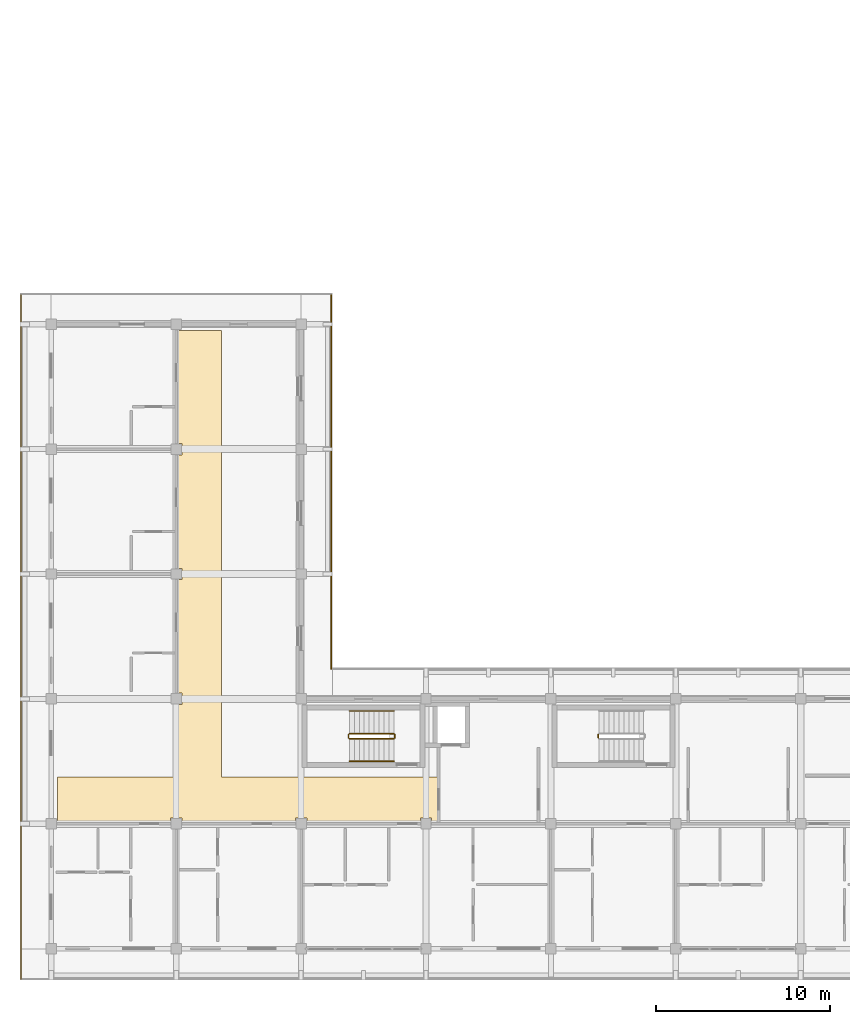
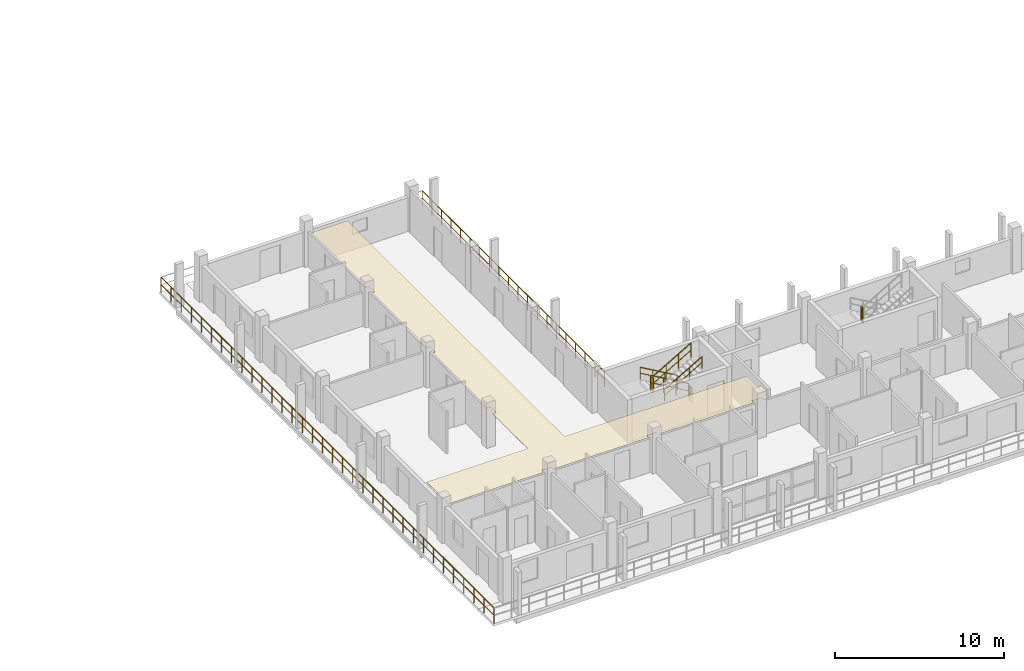
# One storey, part 61 of 75: 9 railings, 1 covering.
"""IFC4 building model written with IfcOpenShell, lengths in metres."""

from ifc_helpers import new_model, si_unit, direction, frame, origin, origin_2d, place, context, subcontext, project, spatial, polyline, rectangle, outline, extrude, material, layer, layer_set, type_object, element, save


model = new_model("IFC4")

# Units and contexts
model_context = context("Model", 3, precision=1e-05, world=origin(), true_north=direction((0.0, 1.0)))
body_context = subcontext(model_context, "Body", "Model", "MODEL_VIEW")
ifc_project = project(units=[si_unit("LENGTHUNIT", "METRE"), si_unit("AREAUNIT", "SQUARE_METRE"), si_unit("VOLUMEUNIT", "CUBIC_METRE"), si_unit("PLANEANGLEUNIT", "RADIAN"), si_unit("MASSUNIT", "GRAM", prefix="KILO")], contexts=[model_context])

# Site, building, storey
site_placement = place(None, origin())
site = spatial("IfcSite", under=ifc_project, at=site_placement, CompositionType="ELEMENT")
building_placement = place(site_placement, origin())
building = spatial("IfcBuilding", under=site, at=building_placement, Name="Suanplinth Sawtooth Commons", CompositionType="ELEMENT")
storey_placement = place(building_placement, frame((0.0, 0.0, 18.60009765625)))
storey = spatial("IfcBuildingStorey", under=building, at=storey_placement, Name="L05", CompositionType="ELEMENT", Elevation=18.60009765625)

# Covering
ifc_material_1 = material(Name="Mineral fibre acoustic tile")
ifc_layer = layer(ifc_material_1, 0.0400390625, Name="Perforated mineral-fibre acoustic suspended ceiling")
ifc_layer_set = layer_set([ifc_layer], Name="Mineral fibre acoustic tile")
covering_type = type_object("IfcCoveringType", Name="CV-CE01", PredefinedType="CEILING", material=ifc_layer_set)
covering_placement = place(storey_placement, frame((0.0, 0.0, 2.3798828125)))
element("IfcCovering", 1, at=covering_placement, inside=storey, type_object=covering_type, Name="L05 Block D Corridor Acoustic Ceiling", PredefinedType="CEILING", context=body_context, shape_type="SweptSolid", body=[
    extrude(outline(polyline([(0.360107421875, 9.89990234375), (7.280029296875, 9.89990234375), (7.280029296875, 14.070068359375), (7.530029296875, 14.070068359375), (7.530029296875, 14.72998046875), (7.280029296875, 14.72998046875), (7.280029296875, 21.27001953125), (7.530029296875, 21.27001953125), (7.530029296875, 21.929931640625), (7.280029296875, 21.929931640625), (7.280029296875, 28.469970703125), (7.530029296875, 28.469970703125), (7.530029296875, 29.1298828125), (7.280029296875, 29.1298828125), (7.280029296875, 35.639892578125), (9.800048828125, 35.639892578125), (9.800048828125, 9.89990234375), (22.280029296875, 9.89990234375), (22.280029296875, 7.280029296875), (21.929931640625, 7.280029296875), (21.929931640625, 7.530029296875), (21.27001953125, 7.530029296875), (21.27001953125, 7.280029296875), (14.72998046875, 7.280029296875), (14.72998046875, 7.530029296875), (14.070068359375, 7.530029296875), (14.070068359375, 7.280029296875), (7.530029296875, 7.280029296875), (7.530029296875, 7.530029296875), (6.8701171875, 7.530029296875), (6.8701171875, 7.280029296875), (0.360107421875, 7.280029296875), (0.360107421875, 9.89990234375)])), origin(), (0.0, 0.0, 1.0), 0.0400390625),
])

# Railings
ifc_material_2 = material(Name="Powder-coated galvanized steel", Category="steel")
railing_type_1 = type_object("IfcRailingType", Name="GR-01", PredefinedType="BALUSTRADE", material=ifc_material_2)
railing_1_placement = place(storey_placement, frame((-1.739990234375, -1.739990234375, 0.0)))
element("IfcRailing", 2, at=railing_1_placement, inside=storey, type_object=railing_type_1, Name="L05 Block D Perimeter Balustrade 1", PredefinedType="BALUSTRADE", context=body_context, shape_type="SweptSolid", body=[
    extrude(rectangle(XDim=0.048095703125, YDim=0.048095703125, at=origin_2d()), frame((0.0, 0.0, 1.09619140625), z_axis=(0.0, 1.0, 0.0), x_axis=(-1.0, 0.0, 0.0)), (0.0, 0.0, 1.0), 39.47998046875),
    extrude(rectangle(XDim=0.03369140625, YDim=0.03369140625, at=origin_2d()), frame((0.0, 0.0, 0.56005859375), z_axis=(0.0, 1.0, 0.0), x_axis=(-1.0, 0.0, 0.0)), (0.0, 0.0, 1.0), 39.47998046875),
    extrude(rectangle(XDim=0.0419921875, YDim=0.0419921875, at=origin_2d()), origin(), (0.0, 0.0, 1.0), 1.072021484375),
    extrude(rectangle(XDim=0.0419921875, YDim=0.0419921875, at=origin_2d()), frame((0.0, 1.1962890625, 0.0)), (0.0, 0.0, 1.0), 1.072021484375),
    extrude(rectangle(XDim=0.0419921875, YDim=0.0419921875, at=origin_2d()), frame((0.0, 2.392822265625, 0.0)), (0.0, 0.0, 1.0), 1.072021484375),
    extrude(rectangle(XDim=0.0419921875, YDim=0.0419921875, at=origin_2d()), frame((0.0, 3.589111328125, 0.0)), (0.0, 0.0, 1.0), 1.072021484375),
    extrude(rectangle(XDim=0.0419921875, YDim=0.0419921875, at=origin_2d()), frame((0.0, 4.785400390625, 0.0)), (0.0, 0.0, 1.0), 1.072021484375),
    extrude(rectangle(XDim=0.0419921875, YDim=0.0419921875, at=origin_2d()), frame((0.0, 5.98193359375, 0.0)), (0.0, 0.0, 1.0), 1.072021484375),
    extrude(rectangle(XDim=0.0419921875, YDim=0.0419921875, at=origin_2d()), frame((0.0, 7.17822265625, 0.0)), (0.0, 0.0, 1.0), 1.072021484375),
    extrude(rectangle(XDim=0.0419921875, YDim=0.0419921875, at=origin_2d()), frame((0.0, 8.37451171875, 0.0)), (0.0, 0.0, 1.0), 1.072021484375),
    extrude(rectangle(XDim=0.0419921875, YDim=0.0419921875, at=origin_2d()), frame((0.0, 9.57080078125, 0.0)), (0.0, 0.0, 1.0), 1.072021484375),
    extrude(rectangle(XDim=0.0419921875, YDim=0.0419921875, at=origin_2d()), frame((0.0, 10.767333984375, 0.0)), (0.0, 0.0, 1.0), 1.072021484375),
    extrude(rectangle(XDim=0.0419921875, YDim=0.0419921875, at=origin_2d()), frame((0.0, 11.963623046875, 0.0)), (0.0, 0.0, 1.0), 1.072021484375),
    extrude(rectangle(XDim=0.0419921875, YDim=0.0419921875, at=origin_2d()), frame((0.0, 13.159912109375, 0.0)), (0.0, 0.0, 1.0), 1.072021484375),
    extrude(rectangle(XDim=0.0419921875, YDim=0.0419921875, at=origin_2d()), frame((0.0, 14.3564453125, 0.0)), (0.0, 0.0, 1.0), 1.072021484375),
    extrude(rectangle(XDim=0.0419921875, YDim=0.0419921875, at=origin_2d()), frame((0.0, 15.552734375, 0.0)), (0.0, 0.0, 1.0), 1.072021484375),
    extrude(rectangle(XDim=0.0419921875, YDim=0.0419921875, at=origin_2d()), frame((0.0, 16.7490234375, 0.0)), (0.0, 0.0, 1.0), 1.072021484375),
    extrude(rectangle(XDim=0.0419921875, YDim=0.0419921875, at=origin_2d()), frame((0.0, 17.945556640625, 0.0)), (0.0, 0.0, 1.0), 1.072021484375),
    extrude(rectangle(XDim=0.0419921875, YDim=0.0419921875, at=origin_2d()), frame((0.0, 19.141845703125, 0.0)), (0.0, 0.0, 1.0), 1.072021484375),
    extrude(rectangle(XDim=0.0419921875, YDim=0.0419921875, at=origin_2d()), frame((0.0, 20.338134765625, 0.0)), (0.0, 0.0, 1.0), 1.072021484375),
    extrude(rectangle(XDim=0.0419921875, YDim=0.0419921875, at=origin_2d()), frame((0.0, 21.534423828125, 0.0)), (0.0, 0.0, 1.0), 1.072021484375),
    extrude(rectangle(XDim=0.0419921875, YDim=0.0419921875, at=origin_2d()), frame((0.0, 22.73095703125, 0.0)), (0.0, 0.0, 1.0), 1.072021484375),
    extrude(rectangle(XDim=0.0419921875, YDim=0.0419921875, at=origin_2d()), frame((0.0, 23.92724609375, 0.0)), (0.0, 0.0, 1.0), 1.072021484375),
    extrude(rectangle(XDim=0.0419921875, YDim=0.0419921875, at=origin_2d()), frame((0.0, 25.12353515625, 0.0)), (0.0, 0.0, 1.0), 1.072021484375),
    extrude(rectangle(XDim=0.0419921875, YDim=0.0419921875, at=origin_2d()), frame((0.0, 26.320068359375, 0.0)), (0.0, 0.0, 1.0), 1.072021484375),
    extrude(rectangle(XDim=0.0419921875, YDim=0.0419921875, at=origin_2d()), frame((0.0, 27.516357421875, 0.0)), (0.0, 0.0, 1.0), 1.072021484375),
    extrude(rectangle(XDim=0.0419921875, YDim=0.0419921875, at=origin_2d()), frame((0.0, 28.712646484375, 0.0)), (0.0, 0.0, 1.0), 1.072021484375),
    extrude(rectangle(XDim=0.0419921875, YDim=0.0419921875, at=origin_2d()), frame((0.0, 29.9091796875, 0.0)), (0.0, 0.0, 1.0), 1.072021484375),
    extrude(rectangle(XDim=0.0419921875, YDim=0.0419921875, at=origin_2d()), frame((0.0, 31.10546875, 0.0)), (0.0, 0.0, 1.0), 1.072021484375),
    extrude(rectangle(XDim=0.0419921875, YDim=0.0419921875, at=origin_2d()), frame((0.0, 32.3017578125, 0.0)), (0.0, 0.0, 1.0), 1.072021484375),
    extrude(rectangle(XDim=0.0419921875, YDim=0.0419921875, at=origin_2d()), frame((0.0, 33.498046875, 0.0)), (0.0, 0.0, 1.0), 1.072021484375),
    extrude(rectangle(XDim=0.0419921875, YDim=0.0419921875, at=origin_2d()), frame((0.0, 34.694580078125, 0.0)), (0.0, 0.0, 1.0), 1.072021484375),
    extrude(rectangle(XDim=0.0419921875, YDim=0.0419921875, at=origin_2d()), frame((0.0, 35.890869140625, 0.0)), (0.0, 0.0, 1.0), 1.072021484375),
    extrude(rectangle(XDim=0.0419921875, YDim=0.0419921875, at=origin_2d()), frame((0.0, 37.087158203125, 0.0)), (0.0, 0.0, 1.0), 1.072021484375),
    extrude(rectangle(XDim=0.0419921875, YDim=0.0419921875, at=origin_2d()), frame((0.0, 38.28369140625, 0.0)), (0.0, 0.0, 1.0), 1.072021484375),
    extrude(rectangle(XDim=0.0419921875, YDim=0.0419921875, at=origin_2d()), frame((0.0, 39.47998046875, 0.0)), (0.0, 0.0, 1.0), 1.072021484375),
])
railing_2_placement = place(storey_placement, frame((16.139892578125, 37.739990234375, 0.0)))
element("IfcRailing", 3, at=railing_2_placement, inside=storey, type_object=railing_type_1, Name="L05 Block D Perimeter Balustrade 3", PredefinedType="BALUSTRADE", context=body_context, shape_type="SweptSolid", body=[
    extrude(rectangle(XDim=0.048095703125, YDim=0.048095703125, at=origin_2d()), frame((0.0, 0.0, 1.09619140625), z_axis=(0.0, -1.0, 0.0), x_axis=(1.0, 0.0, 0.0)), (0.0, 0.0, 1.0), 21.60009765625),
    extrude(rectangle(XDim=0.03369140625, YDim=0.03369140625, at=origin_2d()), frame((0.0, 0.0, 0.56005859375), z_axis=(0.0, -1.0, 0.0), x_axis=(1.0, 0.0, 0.0)), (0.0, 0.0, 1.0), 21.60009765625),
    extrude(rectangle(XDim=0.0419921875, YDim=0.0419921875, at=origin_2d()), origin(), (0.0, 0.0, 1.0), 1.072021484375),
    extrude(rectangle(XDim=0.0419921875, YDim=0.0419921875, at=origin_2d()), frame((0.0, -1.136962890625, 0.0)), (0.0, 0.0, 1.0), 1.072021484375),
    extrude(rectangle(XDim=0.0419921875, YDim=0.0419921875, at=origin_2d()), frame((0.0, -2.273681640625, 0.0)), (0.0, 0.0, 1.0), 1.072021484375),
    extrude(rectangle(XDim=0.0419921875, YDim=0.0419921875, at=origin_2d()), frame((0.0, -3.41064453125, 0.0)), (0.0, 0.0, 1.0), 1.072021484375),
    extrude(rectangle(XDim=0.0419921875, YDim=0.0419921875, at=origin_2d()), frame((0.0, -4.54736328125, 0.0)), (0.0, 0.0, 1.0), 1.072021484375),
    extrude(rectangle(XDim=0.0419921875, YDim=0.0419921875, at=origin_2d()), frame((0.0, -5.684326171875, 0.0)), (0.0, 0.0, 1.0), 1.072021484375),
    extrude(rectangle(XDim=0.0419921875, YDim=0.0419921875, at=origin_2d()), frame((0.0, -6.821044921875, 0.0)), (0.0, 0.0, 1.0), 1.072021484375),
    extrude(rectangle(XDim=0.0419921875, YDim=0.0419921875, at=origin_2d()), frame((0.0, -7.9580078125, 0.0)), (0.0, 0.0, 1.0), 1.072021484375),
    extrude(rectangle(XDim=0.0419921875, YDim=0.0419921875, at=origin_2d()), frame((0.0, -9.0947265625, 0.0)), (0.0, 0.0, 1.0), 1.072021484375),
    extrude(rectangle(XDim=0.0419921875, YDim=0.0419921875, at=origin_2d()), frame((0.0, -10.231689453125, 0.0)), (0.0, 0.0, 1.0), 1.072021484375),
    extrude(rectangle(XDim=0.0419921875, YDim=0.0419921875, at=origin_2d()), frame((0.0, -11.368408203125, 0.0)), (0.0, 0.0, 1.0), 1.072021484375),
    extrude(rectangle(XDim=0.0419921875, YDim=0.0419921875, at=origin_2d()), frame((0.0, -12.50537109375, 0.0)), (0.0, 0.0, 1.0), 1.072021484375),
    extrude(rectangle(XDim=0.0419921875, YDim=0.0419921875, at=origin_2d()), frame((0.0, -13.64208984375, 0.0)), (0.0, 0.0, 1.0), 1.072021484375),
    extrude(rectangle(XDim=0.0419921875, YDim=0.0419921875, at=origin_2d()), frame((0.0, -14.779052734375, 0.0)), (0.0, 0.0, 1.0), 1.072021484375),
    extrude(rectangle(XDim=0.0419921875, YDim=0.0419921875, at=origin_2d()), frame((0.0, -15.915771484375, 0.0)), (0.0, 0.0, 1.0), 1.072021484375),
    extrude(rectangle(XDim=0.0419921875, YDim=0.0419921875, at=origin_2d()), frame((0.0, -17.052734375, 0.0)), (0.0, 0.0, 1.0), 1.072021484375),
    extrude(rectangle(XDim=0.0419921875, YDim=0.0419921875, at=origin_2d()), frame((0.0, -18.189453125, 0.0)), (0.0, 0.0, 1.0), 1.072021484375),
    extrude(rectangle(XDim=0.0419921875, YDim=0.0419921875, at=origin_2d()), frame((0.0, -19.326416015625, 0.0)), (0.0, 0.0, 1.0), 1.072021484375),
    extrude(rectangle(XDim=0.0419921875, YDim=0.0419921875, at=origin_2d()), frame((0.0, -20.463134765625, 0.0)), (0.0, 0.0, 1.0), 1.072021484375),
    extrude(rectangle(XDim=0.0419921875, YDim=0.0419921875, at=origin_2d()), frame((0.0, -21.60009765625, 0.0)), (0.0, 0.0, 1.0), 1.072021484375),
])
ifc_material_3 = material(Name="Stainless steel Grade 304", Category="steel")
railing_type_2 = type_object("IfcRailingType", Name="GR-04", PredefinedType="GUARDRAIL", material=ifc_material_3)
railing_3_placement = place(storey_placement, frame((19.75, 12.39990234375, 0.164794921875)))
element("IfcRailing", 4, at=railing_3_placement, inside=storey, type_object=railing_type_2, Name="L05 ST-W1 Guard 1", PredefinedType="GUARDRAIL", context=body_context, shape_type="SweptSolid", body=[
    extrude(rectangle(XDim=0.048095703125, YDim=0.048095703125, at=origin_2d()), frame((0.0, 0.0, 1.076171875), z_axis=(-0.865405606168, 0.0, 0.501071987656), x_axis=(0.0, -1.0, 0.0)), (0.0, 0.0, 1.0), 2.9638671875),
    extrude(rectangle(XDim=0.03369140625, YDim=0.03369140625, at=origin_2d()), frame((0.0, 0.0, 0.550048828125), z_axis=(-0.865405606168, 0.0, 0.501071987656), x_axis=(0.0, -1.0, 0.0)), (0.0, 0.0, 1.0), 2.9638671875),
    extrude(rectangle(XDim=0.0419921875, YDim=0.0419921875, at=origin_2d()), origin(), (0.0, 0.0, 1.0), 1.052001953125),
    extrude(rectangle(XDim=0.0419921875, YDim=0.0419921875, at=origin_2d()), frame((-0.85498046875, 0.0, 0.4951171875)), (0.0, 0.0, 1.0), 1.052001953125),
    extrude(rectangle(XDim=0.0419921875, YDim=0.0419921875, at=origin_2d()), frame((-1.7099609375, 0.0, 0.989990234375)), (0.0, 0.0, 1.0), 1.052001953125),
    extrude(rectangle(XDim=0.0419921875, YDim=0.0419921875, at=origin_2d()), frame((-2.56494140625, 0.0, 1.485107421875)), (0.0, 0.0, 1.0), 1.052001953125),
])
railing_4_placement = place(storey_placement, frame((17.135009765625, 12.35009765625, 1.64990234375)))
element("IfcRailing", 5, at=railing_4_placement, inside=storey, type_object=railing_type_2, Name="L05 ST-W1 Guard 2", PredefinedType="GUARDRAIL", context=body_context, shape_type="SweptSolid", body=[
    extrude(rectangle(XDim=0.048095703125, YDim=0.048095703125, at=origin_2d()), frame((0.0, 0.0, 1.076171875), z_axis=(0.0, -1.0, 0.0), x_axis=(1.0, 0.0, 0.0)), (0.0, 0.0, 1.0), 0.2001953125),
    extrude(rectangle(XDim=0.03369140625, YDim=0.03369140625, at=origin_2d()), frame((0.0, 0.0, 0.550048828125), z_axis=(0.0, -1.0, 0.0), x_axis=(1.0, 0.0, 0.0)), (0.0, 0.0, 1.0), 0.2001953125),
    extrude(rectangle(XDim=0.0419921875, YDim=0.0419921875, at=origin_2d()), origin(), (0.0, 0.0, 1.0), 1.052001953125),
    extrude(rectangle(XDim=0.0419921875, YDim=0.0419921875, at=origin_2d()), frame((0.0, -0.2001953125, 0.0)), (0.0, 0.0, 1.0), 1.052001953125),
])
railing_5_placement = place(storey_placement, frame((17.18505859375, 12.10009765625, 1.81494140625)))
element("IfcRailing", 6, at=railing_5_placement, inside=storey, type_object=railing_type_2, Name="L05 ST-W1 Guard 3", PredefinedType="GUARDRAIL", context=body_context, shape_type="SweptSolid", body=[
    extrude(rectangle(XDim=0.048095703125, YDim=0.048095703125, at=origin_2d()), frame((0.0, 0.0, 1.076171875), z_axis=(0.865441324677, 0.0, 0.50101029285), x_axis=(0.0, 1.0, 0.0)), (0.0, 0.0, 1.0), 2.963623046875),
    extrude(rectangle(XDim=0.03369140625, YDim=0.03369140625, at=origin_2d()), frame((0.0, 0.0, 0.550048828125), z_axis=(0.865441324677, 0.0, 0.50101029285), x_axis=(0.0, 1.0, 0.0)), (0.0, 0.0, 1.0), 2.963623046875),
    extrude(rectangle(XDim=0.0419921875, YDim=0.0419921875, at=origin_2d()), origin(), (0.0, 0.0, 1.0), 1.052001953125),
    extrude(rectangle(XDim=0.0419921875, YDim=0.0419921875, at=origin_2d()), frame((0.85498046875, 0.0, 0.494873046875)), (0.0, 0.0, 1.0), 1.052001953125),
    extrude(rectangle(XDim=0.0419921875, YDim=0.0419921875, at=origin_2d()), frame((1.7099609375, 0.0, 0.989990234375)), (0.0, 0.0, 1.0), 1.052001953125),
    extrude(rectangle(XDim=0.0419921875, YDim=0.0419921875, at=origin_2d()), frame((2.56494140625, 0.0, 1.48486328125)), (0.0, 0.0, 1.0), 1.052001953125),
])
for number, where, name in (
    (7, (19.800048828125, 12.35009765625, 0.0), "L05 ST-W1 Guard 4"),
    (8, (31.534912109375, 12.35009765625, 1.64990234375), "L05 ST-W2 Guard 2"),
):
    element("IfcRailing", number, at=place(storey_placement, frame(where)), inside=storey, type_object=railing_type_2, Name=name, PredefinedType="GUARDRAIL", context=body_context, shape_type="SweptSolid", body=[
        extrude(rectangle(XDim=0.048095703125, YDim=0.048095703125, at=origin_2d()), frame((0.0, 0.0, 1.076171875), z_axis=(0.0, -1.0, 0.0), x_axis=(1.0, 0.0, 0.0)), (0.0, 0.0, 1.0), 0.2001953125),
        extrude(rectangle(XDim=0.03369140625, YDim=0.03369140625, at=origin_2d()), frame((0.0, 0.0, 0.550048828125), z_axis=(0.0, -1.0, 0.0), x_axis=(1.0, 0.0, 0.0)), (0.0, 0.0, 1.0), 0.2001953125),
        extrude(rectangle(XDim=0.0419921875, YDim=0.0419921875, at=origin_2d()), origin(), (0.0, 0.0, 1.0), 1.052001953125),
        extrude(rectangle(XDim=0.0419921875, YDim=0.0419921875, at=origin_2d()), frame((0.0, -0.2001953125, 0.0)), (0.0, 0.0, 1.0), 1.052001953125),
    ])
railing_type_3 = type_object("IfcRailingType", Name="HR-01", PredefinedType="HANDRAIL", material=ifc_material_3)
railing_6_placement = place(storey_placement, frame((19.75, 13.699951171875, 0.164794921875)))
element("IfcRailing", 9, at=railing_6_placement, inside=storey, type_object=railing_type_3, Name="L05 ST-W1 Handrail 1", PredefinedType="HANDRAIL", context=body_context, shape_type="SweptSolid", body=[
    extrude(rectangle(XDim=0.048095703125, YDim=0.048095703125, at=origin_2d()), frame((0.0, 0.0, 0.8759765625), z_axis=(-0.865405606168, 0.0, 0.501071987656), x_axis=(0.0, -1.0, 0.0)), (0.0, 0.0, 1.0), 2.9638671875),
    extrude(rectangle(XDim=0.03369140625, YDim=0.03369140625, at=origin_2d()), frame((0.0, 0.0, 0.449951171875), z_axis=(-0.865405606168, 0.0, 0.501071987656), x_axis=(0.0, -1.0, 0.0)), (0.0, 0.0, 1.0), 2.9638671875),
    extrude(rectangle(XDim=0.0419921875, YDim=0.0419921875, at=origin_2d()), origin(), (0.0, 0.0, 1.0), 0.851806640625),
    extrude(rectangle(XDim=0.0419921875, YDim=0.0419921875, at=origin_2d()), frame((-0.85498046875, 0.0, 0.4951171875)), (0.0, 0.0, 1.0), 0.851806640625),
    extrude(rectangle(XDim=0.0419921875, YDim=0.0419921875, at=origin_2d()), frame((-1.7099609375, 0.0, 0.989990234375)), (0.0, 0.0, 1.0), 0.851806640625),
    extrude(rectangle(XDim=0.0419921875, YDim=0.0419921875, at=origin_2d()), frame((-2.56494140625, 0.0, 1.485107421875)), (0.0, 0.0, 1.0), 0.851806640625),
])
railing_7_placement = place(storey_placement, frame((17.18505859375, 10.800048828125, 1.81494140625)))
element("IfcRailing", 10, at=railing_7_placement, inside=storey, type_object=railing_type_3, Name="L05 ST-W1 Handrail 2", PredefinedType="HANDRAIL", context=body_context, shape_type="SweptSolid", body=[
    extrude(rectangle(XDim=0.048095703125, YDim=0.048095703125, at=origin_2d()), frame((0.0, 0.0, 0.8759765625), z_axis=(0.865441324677, 0.0, 0.50101029285), x_axis=(0.0, 1.0, 0.0)), (0.0, 0.0, 1.0), 2.963623046875),
    extrude(rectangle(XDim=0.03369140625, YDim=0.03369140625, at=origin_2d()), frame((0.0, 0.0, 0.449951171875), z_axis=(0.865441324677, 0.0, 0.50101029285), x_axis=(0.0, 1.0, 0.0)), (0.0, 0.0, 1.0), 2.963623046875),
    extrude(rectangle(XDim=0.0419921875, YDim=0.0419921875, at=origin_2d()), origin(), (0.0, 0.0, 1.0), 0.851806640625),
    extrude(rectangle(XDim=0.0419921875, YDim=0.0419921875, at=origin_2d()), frame((0.85498046875, 0.0, 0.494873046875)), (0.0, 0.0, 1.0), 0.851806640625),
    extrude(rectangle(XDim=0.0419921875, YDim=0.0419921875, at=origin_2d()), frame((1.7099609375, 0.0, 0.989990234375)), (0.0, 0.0, 1.0), 0.851806640625),
    extrude(rectangle(XDim=0.0419921875, YDim=0.0419921875, at=origin_2d()), frame((2.56494140625, 0.0, 1.48486328125)), (0.0, 0.0, 1.0), 0.851806640625),
])

save(model, "model.ifc")
